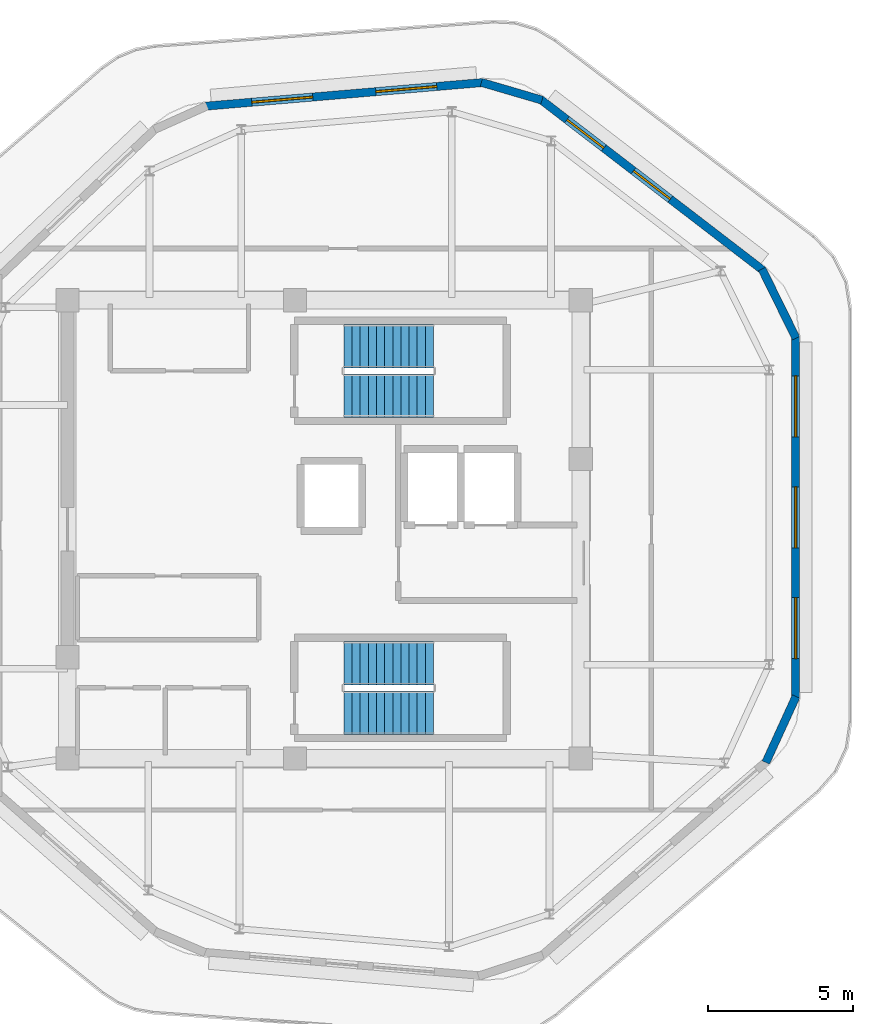
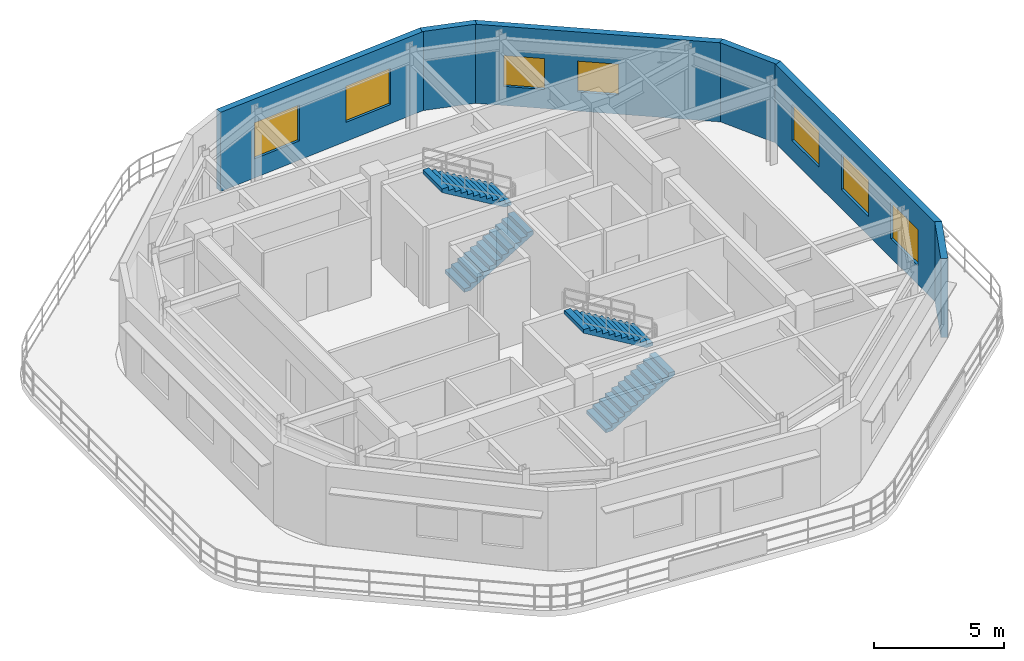
# One storey, part 4 of 7: 7 windows, 6 walls, 4 stair flights, 7 openings, 2 elements without a shape of their own.
"""IFC4 building model written with IfcOpenShell, lengths in metres."""

from ifc_helpers import new_model, si_unit, direction, frame, frame_2d, origin, place, context, subcontext, project, spatial, polyline, rectangle, outline, extrude, material, layer, layer_set, type_object, element, fill, aggregate, save


model = new_model("IFC4")

# Units and contexts
model_context = context("Model", 3, precision=1e-05, world=origin(), true_north=direction((0.0, 1.0)))
body_context = subcontext(model_context, "Body", "Model", "MODEL_VIEW")
ifc_project = project(units=[si_unit("LENGTHUNIT", "METRE"), si_unit("AREAUNIT", "SQUARE_METRE"), si_unit("VOLUMEUNIT", "CUBIC_METRE"), si_unit("PLANEANGLEUNIT", "RADIAN"), si_unit("MASSUNIT", "GRAM", prefix="KILO")], contexts=[model_context])

# Site, building, storey
site_placement = place(None, origin())
site = spatial("IfcSite", under=ifc_project, at=site_placement, CompositionType="ELEMENT")
building_placement = place(site_placement, origin())
building = spatial("IfcBuilding", under=site, at=building_placement, Name="Zulverin Broadcast Headquarters", CompositionType="ELEMENT")
storey_placement = place(building_placement, frame((0.0, 0.0, 329.39990234375)))
storey = spatial("IfcBuildingStorey", under=building, at=storey_placement, Name="C5", CompositionType="ELEMENT", Elevation=329.39990234375)

# Wall, openings, windows
ifc_material_1 = material(Name="Insulated pale-metal clad concrete spandrel C40/50", Category="concrete")
ifc_layer = layer(ifc_material_1, 0.280029296875, Name="Insulated pale-metal clad concrete spandrel C40/50", Category="concrete")
ifc_layer_set = layer_set([ifc_layer], Name="Insulated pale-metal clad concrete spandrel C40/50")
wall_type = type_object("IfcWallType", Name="WL-EXT-280", PredefinedType="STANDARD", material=ifc_layer_set)
wall_1_placement = place(storey_placement, frame((55.659912109375, 19.39599609375, 0.0), z_axis=(0.0, 0.0, 1.0), x_axis=(0.0, 1.0, 0.0)))
wall_1 = element("IfcWall", 1, at=wall_1_placement, inside=storey, type_object=wall_type, Name="C5 Pale-Metal Clad Spandrel Wall 3", PredefinedType="STANDARD", context=body_context, shape_type="SweptSolid", body=[
    extrude(rectangle(XDim=12.43798828125, YDim=0.280029296875, at=frame_2d((6.218994140625, 0.0))), origin(), (0.0, 0.0, 1.0), 3.72021484375),
])
opening_1_placement = place(wall_1_placement, frame((1.356201171875, 0.0, 0.89990234375)))
opening_1 = element("IfcOpeningElement", 2, at=opening_1_placement, cuts=wall_1, Name="Opening W-C5-E31", PredefinedType="OPENING", context=body_context, shape_type="SweptSolid", body=[
    extrude(rectangle(XDim=2.10009765625, YDim=1.699951171875, at=frame_2d((1.050048828125, 0.85009765625))), frame((0.0, 0.14990234375, 0.0), z_axis=(0.0, -1.0, 0.0), x_axis=(1.0, 0.0, 0.0)), (0.0, 0.0, 1.0), 0.300048828125),
])
opening_2_placement = place(wall_1_placement, frame((5.1689453125, 0.0, 0.89990234375)))
opening_2 = element("IfcOpeningElement", 3, at=opening_2_placement, cuts=wall_1, Name="Opening W-C5-E32", PredefinedType="OPENING", context=body_context, shape_type="SweptSolid", body=[
    extrude(rectangle(XDim=2.10009765625, YDim=1.699951171875, at=frame_2d((1.050048828125, 0.85009765625))), frame((0.0, 0.14990234375, 0.0), z_axis=(0.0, -1.0, 0.0), x_axis=(1.0, 0.0, 0.0)), (0.0, 0.0, 1.0), 0.300048828125),
])
opening_3_placement = place(wall_1_placement, frame((8.9814453125, 0.0, 0.89990234375)))
opening_3 = element("IfcOpeningElement", 4, at=opening_3_placement, cuts=wall_1, Name="Opening W-C5-E33", PredefinedType="OPENING", context=body_context, shape_type="SweptSolid", body=[
    extrude(rectangle(XDim=2.10009765625, YDim=1.699951171875, at=frame_2d((1.050048828125, 0.85009765625))), frame((0.0, 0.14990234375, 0.0), z_axis=(0.0, -1.0, 0.0), x_axis=(1.0, 0.0, 0.0)), (0.0, 0.0, 1.0), 0.300048828125),
])
ifc_material_2 = material(Name="Pale anodized aluminium frame with solar-control low-E double glazing", Category="aluminium")
window_type_1 = type_object("IfcWindowType", Name="WIN-CRN-2100", PartitioningType="SINGLE_PANEL", PredefinedType="WINDOW", material=ifc_material_2)
window_1_placement = place(opening_1_placement, origin())
window_1 = element("IfcWindow", 5, at=window_1_placement, inside=storey, type_object=window_type_1, Name="C5 Ribbon Glazing Window 3 1", OverallHeight=1.699951171875, OverallWidth=2.10009765625, PartitioningType="SINGLE_PANEL", PredefinedType="WINDOW", context=body_context, shape_type="SweptSolid", body=[
    extrude(rectangle(XDim=2.10009765625, YDim=1.699951171875, at=frame_2d((1.050048828125, 0.85009765625))), frame((0.0, 0.030029296875, 0.0), z_axis=(0.0, -1.0, 0.0), x_axis=(1.0, 0.0, 0.0)), (0.0, 0.0, 1.0), 0.06005859375),
])
fill(opening_1, window_1)
window_2_placement = place(opening_2_placement, origin())
window_2 = element("IfcWindow", 6, at=window_2_placement, inside=storey, type_object=window_type_1, Name="C5 Ribbon Glazing Window 3 2", OverallHeight=1.699951171875, OverallWidth=2.10009765625, PartitioningType="SINGLE_PANEL", PredefinedType="WINDOW", context=body_context, shape_type="SweptSolid", body=[
    extrude(rectangle(XDim=2.10009765625, YDim=1.699951171875, at=frame_2d((1.050048828125, 0.85009765625))), frame((0.0, 0.030029296875, 0.0), z_axis=(0.0, -1.0, 0.0), x_axis=(1.0, 0.0, 0.0)), (0.0, 0.0, 1.0), 0.06005859375),
])
fill(opening_2, window_2)
window_3_placement = place(opening_3_placement, origin())
window_3 = element("IfcWindow", 7, at=window_3_placement, inside=storey, type_object=window_type_1, Name="C5 Ribbon Glazing Window 3 3", OverallHeight=1.699951171875, OverallWidth=2.10009765625, PartitioningType="SINGLE_PANEL", PredefinedType="WINDOW", context=body_context, shape_type="SweptSolid", body=[
    extrude(rectangle(XDim=2.10009765625, YDim=1.699951171875, at=frame_2d((1.050048828125, 0.85009765625))), frame((0.0, 0.030029296875, 0.0), z_axis=(0.0, -1.0, 0.0), x_axis=(1.0, 0.0, 0.0)), (0.0, 0.0, 1.0), 0.06005859375),
])
fill(opening_3, window_3)

wall_2_placement = place(storey_placement, frame((54.542724609375, 34.101806640625, 0.0), z_axis=(0.0, 0.0, 1.0), x_axis=(-0.792926835332, 0.609316858302, 0.0)))
wall_2 = element("IfcWall", 8, at=wall_2_placement, inside=storey, type_object=wall_type, Name="C5 Pale-Metal Clad Spandrel Wall 4", PredefinedType="STANDARD", context=body_context, shape_type="SweptSolid", body=[
    extrude(rectangle(XDim=9.646728515625, YDim=0.280029296875, at=frame_2d((4.8232421875, 0.0))), origin(), (0.0, 0.0, 1.0), 3.72021484375),
])
opening_4_placement = place(wall_2_placement, frame((4.0234375, 0.0, 0.89990234375)))
opening_4 = element("IfcOpeningElement", 9, at=opening_4_placement, cuts=wall_2, Name="Opening W-C5-E41", PredefinedType="OPENING", context=body_context, shape_type="SweptSolid", body=[
    extrude(rectangle(XDim=1.60009765625, YDim=1.449951171875, at=frame_2d((0.800048828125, 0.72509765625))), frame((0.0, 0.14990234375, 0.0), z_axis=(0.0, -1.0, 0.0), x_axis=(1.0, 0.0, 0.0)), (0.0, 0.0, 1.0), 0.300048828125),
])
opening_5_placement = place(wall_2_placement, frame((6.90576171875, 0.0, 0.89990234375)))
opening_5 = element("IfcOpeningElement", 10, at=opening_5_placement, cuts=wall_2, Name="Opening W-C5-E42", PredefinedType="OPENING", context=body_context, shape_type="SweptSolid", body=[
    extrude(rectangle(XDim=1.60009765625, YDim=1.449951171875, at=frame_2d((0.800048828125, 0.72509765625))), frame((0.0, 0.14990234375, 0.0), z_axis=(0.0, -1.0, 0.0), x_axis=(1.0, 0.0, 0.0)), (0.0, 0.0, 1.0), 0.300048828125),
])
window_type_2 = type_object("IfcWindowType", Name="WIN-CRN-1600", PartitioningType="SINGLE_PANEL", PredefinedType="WINDOW", material=ifc_material_2)
window_4_placement = place(opening_4_placement, origin())
window_4 = element("IfcWindow", 11, at=window_4_placement, inside=storey, type_object=window_type_2, Name="C5 Ribbon Glazing Window 4 1", OverallHeight=1.449951171875, OverallWidth=1.60009765625, PartitioningType="SINGLE_PANEL", PredefinedType="WINDOW", context=body_context, shape_type="SweptSolid", body=[
    extrude(rectangle(XDim=1.60009765625, YDim=1.449951171875, at=frame_2d((0.800048828125, 0.72509765625))), frame((0.0, 0.030029296875, 0.0), z_axis=(0.0, -1.0, 0.0), x_axis=(1.0, 0.0, 0.0)), (0.0, 0.0, 1.0), 0.06005859375),
])
fill(opening_4, window_4)
window_5_placement = place(opening_5_placement, origin())
window_5 = element("IfcWindow", 12, at=window_5_placement, inside=storey, type_object=window_type_2, Name="C5 Ribbon Glazing Window 4 2", OverallHeight=1.449951171875, OverallWidth=1.60009765625, PartitioningType="SINGLE_PANEL", PredefinedType="WINDOW", context=body_context, shape_type="SweptSolid", body=[
    extrude(rectangle(XDim=1.60009765625, YDim=1.449951171875, at=frame_2d((0.800048828125, 0.72509765625))), frame((0.0, 0.030029296875, 0.0), z_axis=(0.0, -1.0, 0.0), x_axis=(1.0, 0.0, 0.0)), (0.0, 0.0, 1.0), 0.06005859375),
])
fill(opening_5, window_5)

wall_3_placement = place(storey_placement, frame((44.908203125, 40.561767578125, 0.0), z_axis=(0.0, 0.0, 1.0), x_axis=(-0.996389466658, -0.084900122101, 0.0)))
wall_3 = element("IfcWall", 13, at=wall_3_placement, inside=storey, type_object=wall_type, Name="C5 Pale-Metal Clad Spandrel Wall 5", PredefinedType="STANDARD", context=body_context, shape_type="SweptSolid", body=[
    extrude(rectangle(XDim=9.564208984375, YDim=0.280029296875, at=frame_2d((4.7822265625, 0.0))), origin(), (0.0, 0.0, 1.0), 3.72021484375),
])
opening_6_placement = place(wall_3_placement, frame((1.591064453125, 0.0, 0.89990234375)))
opening_6 = element("IfcOpeningElement", 14, at=opening_6_placement, cuts=wall_3, Name="Opening W-C5-E51", PredefinedType="OPENING", context=body_context, shape_type="SweptSolid", body=[
    extrude(rectangle(XDim=2.10009765625, YDim=1.699951171875, at=frame_2d((1.050048828125, 0.85009765625))), frame((0.0, 0.14990234375, 0.0), z_axis=(0.0, -1.0, 0.0), x_axis=(1.0, 0.0, 0.0)), (0.0, 0.0, 1.0), 0.300048828125),
])
opening_7_placement = place(wall_3_placement, frame((5.873291015625, 0.0, 0.89990234375)))
opening_7 = element("IfcOpeningElement", 15, at=opening_7_placement, cuts=wall_3, Name="Opening W-C5-E52", PredefinedType="OPENING", context=body_context, shape_type="SweptSolid", body=[
    extrude(rectangle(XDim=2.10009765625, YDim=1.699951171875, at=frame_2d((1.050048828125, 0.85009765625))), frame((0.0, 0.14990234375, 0.0), z_axis=(0.0, -1.0, 0.0), x_axis=(1.0, 0.0, 0.0)), (0.0, 0.0, 1.0), 0.300048828125),
])
window_6_placement = place(opening_6_placement, origin())
window_6 = element("IfcWindow", 16, at=window_6_placement, inside=storey, type_object=window_type_1, Name="C5 Ribbon Glazing Window 5 1", OverallHeight=1.699951171875, OverallWidth=2.10009765625, PartitioningType="SINGLE_PANEL", PredefinedType="WINDOW", context=body_context, shape_type="SweptSolid", body=[
    extrude(rectangle(XDim=2.10009765625, YDim=1.699951171875, at=frame_2d((1.050048828125, 0.85009765625))), frame((0.0, 0.030029296875, 0.0), z_axis=(0.0, -1.0, 0.0), x_axis=(1.0, 0.0, 0.0)), (0.0, 0.0, 1.0), 0.06005859375),
])
fill(opening_6, window_6)
window_7_placement = place(opening_7_placement, origin())
window_7 = element("IfcWindow", 17, at=window_7_placement, inside=storey, type_object=window_type_1, Name="C5 Ribbon Glazing Window 5 2", OverallHeight=1.699951171875, OverallWidth=2.10009765625, PartitioningType="SINGLE_PANEL", PredefinedType="WINDOW", context=body_context, shape_type="SweptSolid", body=[
    extrude(rectangle(XDim=2.10009765625, YDim=1.699951171875, at=frame_2d((1.050048828125, 0.85009765625))), frame((0.0, 0.030029296875, 0.0), z_axis=(0.0, -1.0, 0.0), x_axis=(1.0, 0.0, 0.0)), (0.0, 0.0, 1.0), 0.06005859375),
])
fill(opening_7, window_7)

# Walls
wall_4_placement = place(storey_placement, frame((54.634765625, 17.184814453125, 0.0), z_axis=(0.0, 0.0, 1.0), x_axis=(0.415873043692, 0.909422680348, 0.0)))
element("IfcWall", 18, at=wall_4_placement, inside=storey, type_object=wall_type, Name="C5 Wind-Shaped Corner Spandrel Wall 2-1", PredefinedType="STANDARD", context=body_context, shape_type="SweptSolid", body=[
    extrude(rectangle(XDim=2.49560546875, YDim=0.280029296875, at=frame_2d((1.247802734375, 0.0))), origin(), (0.0, 0.0, 1.0), 3.72021484375),
])
wall_5_placement = place(storey_placement, frame((55.67431640625, 31.77197265625, 0.0), z_axis=(0.0, 0.0, 1.0), x_axis=(-0.441902900826, 0.897062888677, 0.0)))
element("IfcWall", 19, at=wall_5_placement, inside=storey, type_object=wall_type, Name="C5 Wind-Shaped Corner Spandrel Wall 3-1", PredefinedType="STANDARD", context=body_context, shape_type="SweptSolid", body=[
    extrude(rectangle(XDim=2.65185546875, YDim=0.280029296875, at=frame_2d((1.325927734375, 0.0))), origin(), (0.0, 0.0, 1.0), 3.72021484375),
])
wall_6_placement = place(storey_placement, frame((46.939453125, 39.95654296875, 0.0), z_axis=(0.0, 0.0, 1.0), x_axis=(-0.959642676919, 0.281222212202, 0.0)))
element("IfcWall", 20, at=wall_6_placement, inside=storey, type_object=wall_type, Name="C5 Wind-Shaped Corner Spandrel Wall 4-1", PredefinedType="STANDARD", context=body_context, shape_type="SweptSolid", body=[
    extrude(rectangle(XDim=2.17041015625, YDim=0.280029296875, at=frame_2d((1.085205078125, 0.0))), origin(), (0.0, 0.0, 1.0), 3.72021484375),
])

# Stair, stair flights
ifc_material_3 = material(Name="Concrete C40/50", Category="concrete")
stair_type = type_object("IfcStairType", Name="ST-CORE-1500", PredefinedType="HALF_TURN_STAIR", material=ifc_material_3)
stair_1_placement = place(storey_placement, origin())
stair_1 = element("IfcStair", 21, at=stair_1_placement, inside=storey, type_object=stair_type, Name="C5 Core Exit Stair ST-1", PredefinedType="HALF_TURN_STAIR")
stair_flight_type = type_object("IfcStairFlightType", Name="SF-CORE-1500", PredefinedType="STRAIGHT", material=ifc_material_3)
stair_flight_1_placement = place(storey_placement, frame((40.1298828125, 29.800048828125, 0.0), z_axis=(0.0, 0.0, 1.0), x_axis=(1.0, 0.0, 0.0)))
stair_flight_1 = element("IfcStairFlight", 22, at=stair_flight_1_placement, type_object=stair_flight_type, Name="ST-1 flight 1", NumberOfRisers=12, NumberOfTreads=11, PredefinedType="STRAIGHT", RiserHeight=0.166666667, TreadLength=0.28, context=body_context, shape_type="SweptSolid", body=[
    extrude(outline(polyline([(0.0, 0.0), (0.0, 0.166748046875), (0.280029296875, 0.166748046875), (0.280029296875, 0.333251953125), (0.56005859375, 0.333251953125), (0.56005859375, 0.5), (0.840087890625, 0.5), (0.840087890625, 0.666748046875), (1.1201171875, 0.666748046875), (1.1201171875, 0.833251953125), (1.39990234375, 0.833251953125), (1.39990234375, 1.0), (1.679931640625, 1.0), (1.679931640625, 1.166748046875), (1.9599609375, 1.166748046875), (1.9599609375, 1.333251953125), (2.239990234375, 1.333251953125), (2.239990234375, 1.5), (2.52001953125, 1.5), (2.52001953125, 1.666748046875), (2.800048828125, 1.666748046875), (2.800048828125, 1.833251953125), (3.080078125, 1.833251953125), (3.080078125, 2.0), (3.080078125, 1.658935546875), (0.29296875, 0.0), (0.0, 0.0)])), frame((0.0, 0.75, 0.0), z_axis=(0.0, -1.0, 0.0), x_axis=(1.0, 0.0, 0.0)), (0.0, 0.0, 1.0), 1.5),
])
stair_flight_2_placement = place(storey_placement, frame((43.2099609375, 31.5, 2.0), z_axis=(0.0, 0.0, 1.0), x_axis=(-1.0, 0.0, 0.0)))
stair_flight_2 = element("IfcStairFlight", 23, at=stair_flight_2_placement, type_object=stair_flight_type, Name="ST-1 flight 2", NumberOfRisers=12, NumberOfTreads=11, PredefinedType="STRAIGHT", RiserHeight=0.166666667, TreadLength=0.28, context=body_context, shape_type="SweptSolid", body=[
    extrude(outline(polyline([(0.0, 0.0), (0.0, 0.166748046875), (0.280029296875, 0.166748046875), (0.280029296875, 0.333251953125), (0.56005859375, 0.333251953125), (0.56005859375, 0.5), (0.840087890625, 0.5), (0.840087890625, 0.666748046875), (1.1201171875, 0.666748046875), (1.1201171875, 0.833251953125), (1.39990234375, 0.833251953125), (1.39990234375, 1.0), (1.679931640625, 1.0), (1.679931640625, 1.166748046875), (1.9599609375, 1.166748046875), (1.9599609375, 1.333251953125), (2.239990234375, 1.333251953125), (2.239990234375, 1.5), (2.52001953125, 1.5), (2.52001953125, 1.666748046875), (2.800048828125, 1.666748046875), (2.800048828125, 1.833251953125), (3.080078125, 1.833251953125), (3.080078125, 2.0), (3.080078125, 1.658935546875), (0.29296875, 0.0), (0.0, 0.0)])), frame((0.0, 0.75, 0.0), z_axis=(0.0, -1.0, 0.0), x_axis=(1.0, 0.0, 0.0)), (0.0, 0.0, 1.0), 1.5),
])
aggregate(stair_1, [stair_flight_1, stair_flight_2])

stair_2_placement = place(storey_placement, origin())
stair_2 = element("IfcStair", 24, at=stair_2_placement, inside=storey, type_object=stair_type, Name="C5 Core Exit Stair ST-2", PredefinedType="HALF_TURN_STAIR")
stair_flight_3_placement = place(storey_placement, frame((40.1298828125, 18.89990234375, 0.0), z_axis=(0.0, 0.0, 1.0), x_axis=(1.0, 0.0, 0.0)))
stair_flight_3 = element("IfcStairFlight", 25, at=stair_flight_3_placement, type_object=stair_flight_type, Name="ST-2 flight 1", NumberOfRisers=12, NumberOfTreads=11, PredefinedType="STRAIGHT", RiserHeight=0.166666667, TreadLength=0.28, context=body_context, shape_type="SweptSolid", body=[
    extrude(outline(polyline([(0.0, 0.0), (0.0, 0.166748046875), (0.280029296875, 0.166748046875), (0.280029296875, 0.333251953125), (0.56005859375, 0.333251953125), (0.56005859375, 0.5), (0.840087890625, 0.5), (0.840087890625, 0.666748046875), (1.1201171875, 0.666748046875), (1.1201171875, 0.833251953125), (1.39990234375, 0.833251953125), (1.39990234375, 1.0), (1.679931640625, 1.0), (1.679931640625, 1.166748046875), (1.9599609375, 1.166748046875), (1.9599609375, 1.333251953125), (2.239990234375, 1.333251953125), (2.239990234375, 1.5), (2.52001953125, 1.5), (2.52001953125, 1.666748046875), (2.800048828125, 1.666748046875), (2.800048828125, 1.833251953125), (3.080078125, 1.833251953125), (3.080078125, 2.0), (3.080078125, 1.658935546875), (0.29296875, 0.0), (0.0, 0.0)])), frame((0.0, 0.75, 0.0), z_axis=(0.0, -1.0, 0.0), x_axis=(1.0, 0.0, 0.0)), (0.0, 0.0, 1.0), 1.5),
])
stair_flight_4_placement = place(storey_placement, frame((43.2099609375, 20.60009765625, 2.0), z_axis=(0.0, 0.0, 1.0), x_axis=(-1.0, 0.0, 0.0)))
stair_flight_4 = element("IfcStairFlight", 26, at=stair_flight_4_placement, type_object=stair_flight_type, Name="ST-2 flight 2", NumberOfRisers=12, NumberOfTreads=11, PredefinedType="STRAIGHT", RiserHeight=0.166666667, TreadLength=0.28, context=body_context, shape_type="SweptSolid", body=[
    extrude(outline(polyline([(0.0, 0.0), (0.0, 0.166748046875), (0.280029296875, 0.166748046875), (0.280029296875, 0.333251953125), (0.56005859375, 0.333251953125), (0.56005859375, 0.5), (0.840087890625, 0.5), (0.840087890625, 0.666748046875), (1.1201171875, 0.666748046875), (1.1201171875, 0.833251953125), (1.39990234375, 0.833251953125), (1.39990234375, 1.0), (1.679931640625, 1.0), (1.679931640625, 1.166748046875), (1.9599609375, 1.166748046875), (1.9599609375, 1.333251953125), (2.239990234375, 1.333251953125), (2.239990234375, 1.5), (2.52001953125, 1.5), (2.52001953125, 1.666748046875), (2.800048828125, 1.666748046875), (2.800048828125, 1.833251953125), (3.080078125, 1.833251953125), (3.080078125, 2.0), (3.080078125, 1.658935546875), (0.29296875, 0.0), (0.0, 0.0)])), frame((0.0, 0.75, 0.0), z_axis=(0.0, -1.0, 0.0), x_axis=(1.0, 0.0, 0.0)), (0.0, 0.0, 1.0), 1.5),
])
aggregate(stair_2, [stair_flight_3, stair_flight_4])

save(model, "model.ifc")
